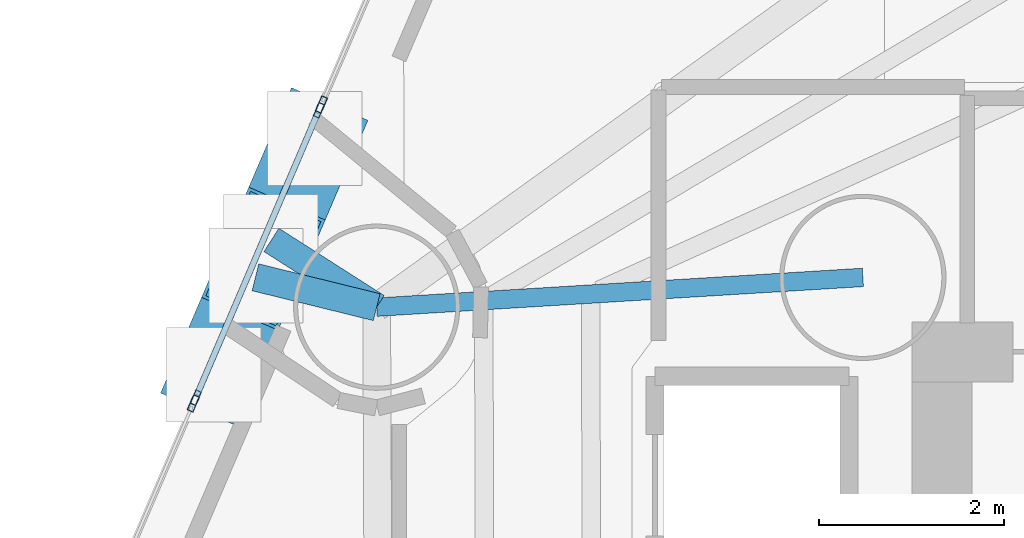
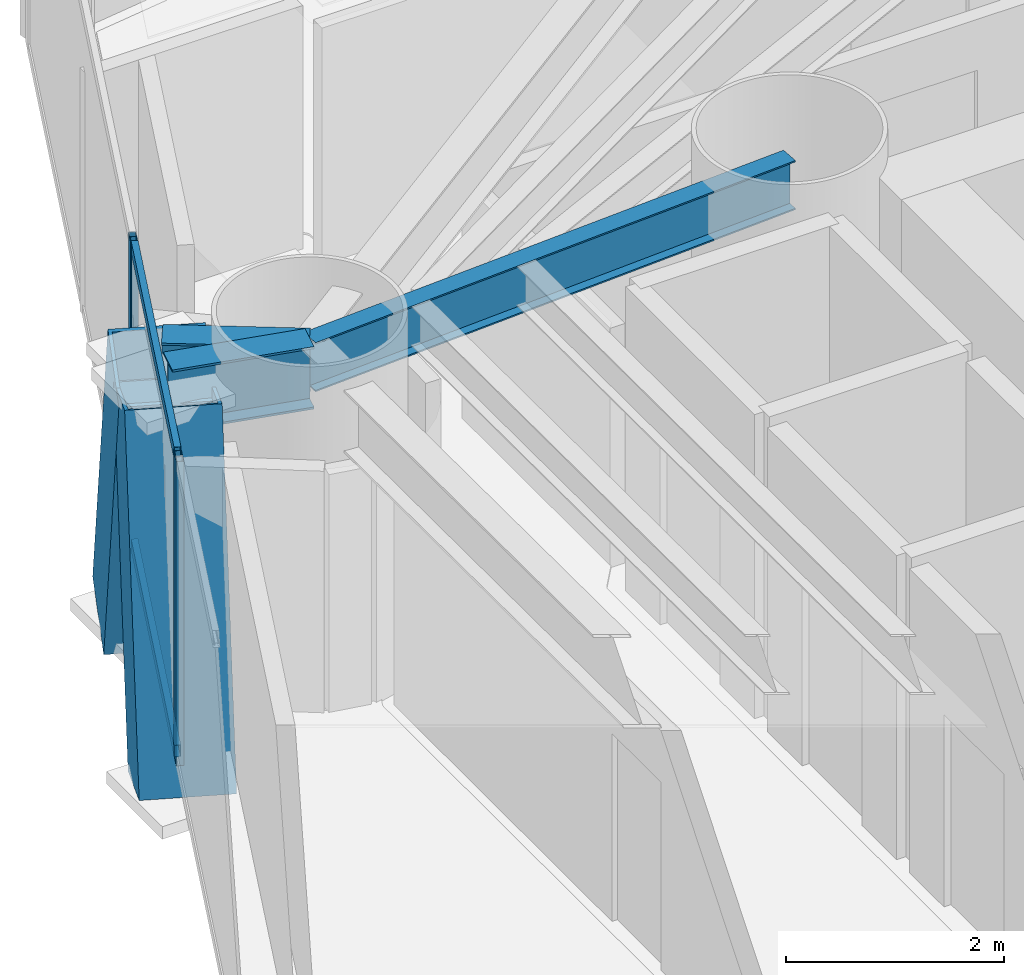
# One storey, part 7 of 22: 8 members, 3 beams, 3 elements without a shape of their own.
"""IFC4 building model written with IfcOpenShell, lengths in metres."""

from ifc_helpers import new_model, si_unit, direction, frame, origin, origin_2d, place, context, subcontext, project, spatial, hollow_rectangle, i_section, extrude, material, layer, layer_set, material_profile, profile_set, type_object, element, aggregate, save


model = new_model("IFC4")

# Units and contexts
model_context = context("Model", 3, precision=1e-05, world=origin(), true_north=direction((0.0, 1.0)))
body_context = subcontext(model_context, "Body", "Model", "MODEL_VIEW")
ifc_project = project(units=[si_unit("LENGTHUNIT", "METRE"), si_unit("AREAUNIT", "SQUARE_METRE"), si_unit("VOLUMEUNIT", "CUBIC_METRE"), si_unit("PLANEANGLEUNIT", "RADIAN"), si_unit("MASSUNIT", "GRAM", prefix="KILO")], contexts=[model_context])

# Site, building, storey
site_placement = place(None, origin())
site = spatial("IfcSite", under=ifc_project, at=site_placement, CompositionType="ELEMENT")
building_placement = place(site_placement, origin())
building = spatial("IfcBuilding", under=site, at=building_placement, Name="Qianvela Tower", CompositionType="ELEMENT")
storey_placement = place(building_placement, frame((0.0, 0.0, 44.199951171875)))
storey = spatial("IfcBuildingStorey", under=building, at=storey_placement, Name="L10", CompositionType="ELEMENT", Elevation=44.199951171875)

# Beams
ifc_material_1 = material(Name="Steel Q355B", Category="steel")
ifc_material_profile_1 = material_profile(ifc_material_1, i_section(OverallWidth=0.199951171875, OverallDepth=0.550048828125, WebThickness=0.010009765625, FlangeThickness=0.01611328125, at=origin_2d()), Name="HN550x200x10x16")
ifc_profile_set_1 = profile_set([ifc_material_profile_1], Name="Steel Q355B")
beam_type_1 = type_object("IfcBeamType", Name="BM-HN550-GIRD", PredefinedType="BEAM", material=ifc_profile_set_1)
beam_placement = place(storey_placement, frame((28.60009765625, 33.550048828125, 3.123046875), z_axis=(-0.998132820146, -0.061080875465, 0.0), x_axis=(0.061080875465, -0.998132820146, 0.0)))
element("IfcBeam", 1, at=beam_placement, inside=storey, type_object=beam_type_1, Name="L10 Radial Primary Floor Girder 4", PredefinedType="BEAM", context=body_context, shape_type="SweptSolid", body=[
    extrude(i_section(OverallWidth=0.199951171875, OverallDepth=0.550048828125, WebThickness=0.010009765625, FlangeThickness=0.01611328125, at=origin_2d()), origin(), (0.0, 0.0, 1.0), 5.27197265625),
])
ifc_material_2 = material(Name="Steel Q355B", Category="steel")
ifc_material_profile_2 = material_profile(ifc_material_2, i_section(OverallWidth=0.300048828125, OverallDepth=0.699951171875, WebThickness=0.012939453125, FlangeThickness=0.02392578125, at=origin_2d()), Name="HN700x300x13x24")
ifc_profile_set_2 = profile_set([ifc_material_profile_2], Name="Steel Q355B")
beam_type_2 = type_object("IfcBeamType", Name="BM-HN700-SPAND", PredefinedType="SPANDREL", material=ifc_profile_set_2)
for number, where, z_axis, x_axis, name in (
    (2, (23.337890625, 33.22802734375, 3.048095703125), (-0.84275314925, 0.538300222394, 0.0), (-0.538300222394, -0.84275314925, 0.0), "L10 Mega-Brace Column Tie Bracket F2-1"),
    (3, (23.337890625, 33.22802734375, 3.048095703125), (-0.970996821857, 0.239092392066, 0.0), (-0.239092392066, -0.970996821857, 0.0), "L10 Mega-Brace Column Tie Bracket F2-2"),
):
    element("IfcBeam", number, at=place(storey_placement, frame(where, z_axis=z_axis, x_axis=x_axis)), inside=storey, type_object=beam_type_2, Name=name, PredefinedType="SPANDREL", context=body_context, shape_type="SweptSolid", body=[
        extrude(i_section(OverallWidth=0.300048828125, OverallDepth=0.699951171875, WebThickness=0.012939453125, FlangeThickness=0.02392578125, at=origin_2d()), origin(), (0.0, 0.0, 1.0), 1.35205078125),
    ])

# Curtain wall, members
ifc_material_3 = material(Name="Anodised Architectural Aluminium and Insulated Spandrel Panel", Category="aluminium")
ifc_layer_1 = layer(ifc_material_3, 0.179931640625)
ifc_layer_set_1 = layer_set([ifc_layer_1], Name="Anodised Architectural Aluminium and Insulated Spandrel Panel")
curtain_wall_type_1 = type_object("IfcCurtainWallType", Name="CW-BRACEBAY", PredefinedType="USERDEFINED", material=ifc_layer_set_1)
curtain_wall_1_placement = place(storey_placement, origin())
curtain_wall_1 = element("IfcCurtainWall", 4, at=curtain_wall_1_placement, inside=storey, type_object=curtain_wall_type_1, Name="L10 CW-BRACEBAY Curtain Wall 04B", ObjectType="CURTAIN_WALL_SYSTEM", PredefinedType="USERDEFINED")
ifc_material_4 = material(Name="Anodised Architectural Aluminium 6063-T6", Category="aluminium")
ifc_material_profile_3 = material_profile(ifc_material_4, hollow_rectangle(XDim=0.06494140625, YDim=0.159912109375, WallThickness=0.0048828125, at=origin_2d()), Name="ALU-MULL-65x160")
ifc_profile_set_3 = profile_set([ifc_material_profile_3], Name="Anodised Architectural Aluminium 6063-T6")
member_type_1 = type_object("IfcMemberType", Name="CW-BRACEBAY-MULL", PredefinedType="MULLION", material=ifc_profile_set_3)
member_1_placement = place(storey_placement, frame((22.712890625, 35.359130859375, 0.0), z_axis=(0.0, 0.0, 1.0), x_axis=(0.919134534893, -0.393943786304, 0.0)))
member_1 = element("IfcMember", 5, at=member_1_placement, type_object=member_type_1, Name="CW-9 mullion 1", PredefinedType="MULLION", context=body_context, shape_type="SweptSolid", body=[
    extrude(hollow_rectangle(XDim=0.06494140625, YDim=0.159912109375, WallThickness=0.0048828125, at=origin_2d()), origin(), (0.0, 0.0, 1.0), 3.400146484375),
])
member_2_placement = place(storey_placement, frame((21.37939453125, 32.248046875, 0.0), z_axis=(0.0, 0.0, 1.0), x_axis=(0.919134534893, -0.393943786304, 0.0)))
member_2 = element("IfcMember", 6, at=member_2_placement, type_object=member_type_1, Name="CW-9 mullion 2", PredefinedType="MULLION", context=body_context, shape_type="SweptSolid", body=[
    extrude(hollow_rectangle(XDim=0.06494140625, YDim=0.159912109375, WallThickness=0.0048828125, at=origin_2d()), origin(), (0.0, 0.0, 1.0), 3.400146484375),
])
ifc_material_5 = material(Name="Anodised Architectural Aluminium 6063-T6", Category="aluminium")
ifc_material_profile_4 = material_profile(ifc_material_5, hollow_rectangle(XDim=0.06494140625, YDim=0.1298828125, WallThickness=0.00439453125, at=origin_2d()), Name="ALU-TRAN-65x130")
ifc_profile_set_4 = profile_set([ifc_material_profile_4], Name="Anodised Architectural Aluminium 6063-T6")
member_type_2 = type_object("IfcMemberType", Name="CW-BRACEBAY-TRAN", PredefinedType="USERDEFINED", material=ifc_profile_set_4)
member_3_placement = place(storey_placement, frame((22.7001953125, 35.329345703125, 0.032470703125), z_axis=(-0.393937048786, -0.919137422584, 0.0), x_axis=(0.919137422584, -0.393937048786, 0.0)))
member_3 = element("IfcMember", 7, at=member_3_placement, type_object=member_type_2, Name="CW-9 transom 1.1", ObjectType="TRANSOM", PredefinedType="USERDEFINED", context=body_context, shape_type="SweptSolid", body=[
    extrude(hollow_rectangle(XDim=0.06494140625, YDim=0.1298828125, WallThickness=0.00439453125, at=origin_2d()), origin(), (0.0, 0.0, 1.0), 3.320068359375),
])
member_4_placement = place(storey_placement, frame((22.7001953125, 35.329345703125, 3.367431640625), z_axis=(-0.393937048786, -0.919137422584, 0.0), x_axis=(0.919137422584, -0.393937048786, 0.0)))
member_4 = element("IfcMember", 8, at=member_4_placement, type_object=member_type_2, Name="CW-9 transom 1.2", ObjectType="TRANSOM", PredefinedType="USERDEFINED", context=body_context, shape_type="SweptSolid", body=[
    extrude(hollow_rectangle(XDim=0.06494140625, YDim=0.1298828125, WallThickness=0.00439453125, at=origin_2d()), origin(), (0.0, 0.0, 1.0), 3.320068359375),
])
aggregate(curtain_wall_1, [member_1, member_2, member_3, member_4])

# Curtain wall, member
ifc_material_6 = material(Name="Anodised Architectural Aluminium and Low-E Glass", Category="aluminium")
ifc_layer_2 = layer(ifc_material_6, 0.179931640625)
ifc_layer_set_2 = layer_set([ifc_layer_2], Name="Anodised Architectural Aluminium and Low-E Glass")
curtain_wall_type_2 = type_object("IfcCurtainWallType", Name="CW-COLIV-Z12", PredefinedType="USERDEFINED", material=ifc_layer_set_2)
curtain_wall_2_placement = place(storey_placement, origin())
curtain_wall_2 = element("IfcCurtainWall", 9, at=curtain_wall_2_placement, inside=storey, type_object=curtain_wall_type_2, Name="L10 CW-COLIV-Z12 Curtain Wall 04A", ObjectType="CURTAIN_WALL_SYSTEM", PredefinedType="USERDEFINED")
ifc_material_7 = material(Name="Anodised Architectural Aluminium 6063-T6", Category="aluminium")
ifc_material_profile_5 = material_profile(ifc_material_7, hollow_rectangle(XDim=0.070068359375, YDim=0.179931640625, WallThickness=0.0048828125, at=origin_2d()), Name="ALU-MULL-70x180")
ifc_profile_set_5 = profile_set([ifc_material_profile_5], Name="Anodised Architectural Aluminium 6063-T6")
member_type_3 = type_object("IfcMemberType", Name="CW-COLIV-Z12-MULL", PredefinedType="MULLION", material=ifc_profile_set_5)
member_5_placement = place(storey_placement, frame((22.739501953125, 35.42138671875, 0.0), z_axis=(0.0, 0.0, 1.0), x_axis=(0.919134710585, -0.393943376385, 0.0)))
member_5 = element("IfcMember", 10, at=member_5_placement, type_object=member_type_3, Name="CW-3 mullion 2", PredefinedType="MULLION", context=body_context, shape_type="SweptSolid", body=[
    extrude(hollow_rectangle(XDim=0.070068359375, YDim=0.179931640625, WallThickness=0.0048828125, at=origin_2d()), origin(), (0.0, 0.0, 1.0), 3.400146484375),
])
aggregate(curtain_wall_2, [member_5])

curtain_wall_3_placement = place(storey_placement, origin())
curtain_wall_3 = element("IfcCurtainWall", 11, at=curtain_wall_3_placement, inside=storey, type_object=curtain_wall_type_2, Name="L10 CW-COLIV-Z12 Curtain Wall 04C", ObjectType="CURTAIN_WALL_SYSTEM", PredefinedType="USERDEFINED")
member_6_placement = place(storey_placement, frame((21.35302734375, 32.18603515625, 0.0), z_axis=(0.0, 0.0, 1.0), x_axis=(0.919135892443, -0.393940618904, 0.0)))
member_6 = element("IfcMember", 12, at=member_6_placement, type_object=member_type_3, Name="CW-3 mullion 1", PredefinedType="MULLION", context=body_context, shape_type="SweptSolid", body=[
    extrude(hollow_rectangle(XDim=0.070068359375, YDim=0.179931640625, WallThickness=0.0048828125, at=origin_2d()), origin(), (0.0, 0.0, 1.0), 3.400146484375),
])
aggregate(curtain_wall_3, [member_6])

# Members
ifc_material_8 = material(Name="Steel Q420GJC", Category="steel")
ifc_material_profile_6 = material_profile(ifc_material_8, hollow_rectangle(XDim=0.89990234375, YDim=0.89990234375, WallThickness=0.035888671875, at=origin_2d()), Name="MBOX-900x900x36")
ifc_profile_set_6 = profile_set([ifc_material_profile_6], Name="Steel Q420GJC")
member_type_4 = type_object("IfcMemberType", Name="MBR-MBRACE-900", PredefinedType="BRACE", material=ifc_profile_set_6)
member_7_placement = place(storey_placement, frame((22.66064453125, 35.033935546875, -0.531982421875), z_axis=(-0.122674712015, -0.286176190311, 0.950291588478), x_axis=(0.91911273052, -0.393994655542, 0.0)))
element("IfcMember", 13, at=member_7_placement, inside=storey, type_object=member_type_4, Name="L10 Tier 1 Exterior Mega-Brace F2A", PredefinedType="BRACE", context=body_context, shape_type="SweptSolid", body=[
    extrude(hollow_rectangle(XDim=0.89990234375, YDim=0.89990234375, WallThickness=0.035888671875, at=origin_2d()), origin(), (0.0, 0.0, 1.0), 3.767333984375),
])
member_8_placement = place(storey_placement, frame((21.581298828125, 32.515380859375, -0.531982421875), z_axis=(0.118256298481, 0.275996410592, 0.953856084119), x_axis=(-0.919178642313, 0.393840860647, 0.0)))
element("IfcMember", 14, at=member_8_placement, inside=storey, type_object=member_type_4, Name="L10 Tier 1 Exterior Mega-Brace F2B", PredefinedType="BRACE", context=body_context, shape_type="SweptSolid", body=[
    extrude(hollow_rectangle(XDim=0.89990234375, YDim=0.89990234375, WallThickness=0.035888671875, at=origin_2d()), origin(), (0.0, 0.0, 1.0), 3.753173828125),
])

save(model, "model.ifc")
